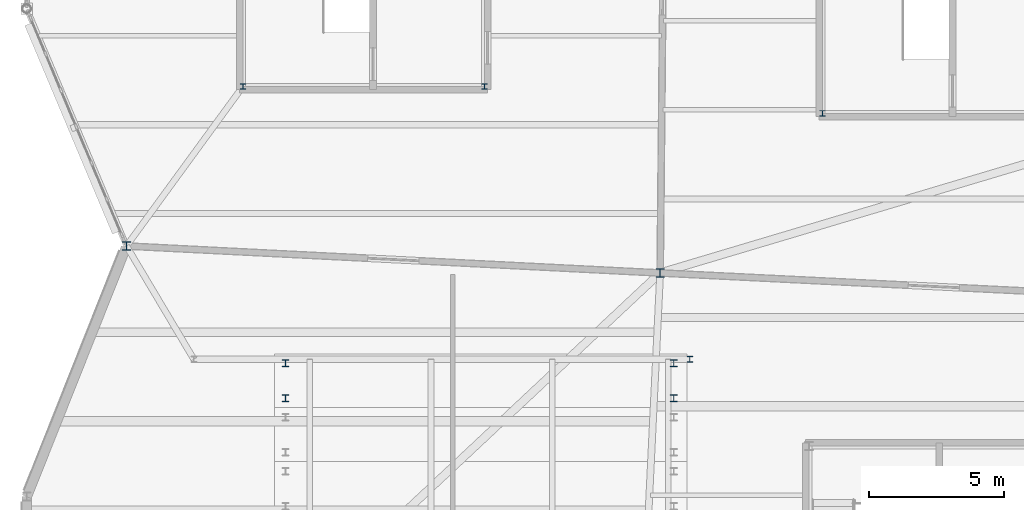
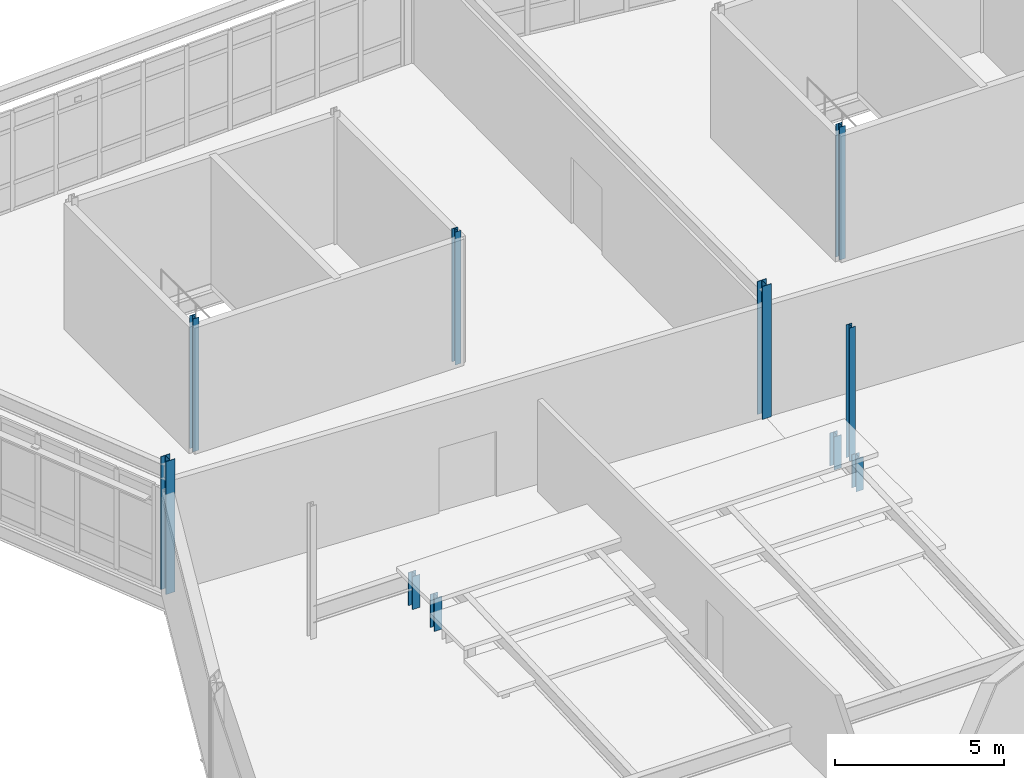
# One storey, part 3 of 134: 10 columns.
"""IFC4 building model written with IfcOpenShell, lengths in metres."""

import ifcopenshell
import ifcopenshell.guid

model = None  # the IFC model being written
_history = None  # IfcOwnerHistory: only IFC2X3 demands one
_inside = {}  # id of a spatial element -> (the spatial element, [elements in it])
_under = {}  # id of a project, library or spatial element -> (it, [spatial elements below it])
_declared = {}  # id of a project -> (the project, [libraries it declares])
_typed = {}  # id of a type object -> (the type object, [elements of that type])
_made_of = {}  # id of a material, layer set ... -> (it, [elements and type objects made of it])


def new_model(schema):
    """Start an empty IFC model of exactly this schema.

    Asked for "IFC4X3", IfcOpenShell would pick the latest addendum, in which some entities
    have other attributes; the version numbers below select the first issue.
    IFC2X3 requires an IfcOwnerHistory on every rooted entity: one is made here for all.
    """
    global model, _history
    if schema == "IFC4X3":
        model = ifcopenshell.file(schema_version=(4, 3, 0, 0))
    else:
        model = ifcopenshell.file(schema=schema)
    _inside.clear()
    _under.clear()
    _declared.clear()
    _typed.clear()
    _made_of.clear()
    _history = None
    if model.schema == "IFC2X3":
        org = make("IfcOrganization", Name="unknown")
        user = make(
            "IfcPersonAndOrganization",
            ThePerson=make("IfcPerson", FamilyName="unknown"),
            TheOrganization=org,
        )
        app = make(
            "IfcApplication",
            ApplicationDeveloper=org,
            Version="unknown",
            ApplicationFullName="unknown",
            ApplicationIdentifier="unknown",
        )
        _history = make(
            "IfcOwnerHistory",
            OwningUser=user,
            OwningApplication=app,
            ChangeAction="ADDED",
            CreationDate=0,
        )
    return model


def make(cls, **values):
    """One entity of the class cls with the attributes given. An attribute that is None is left unset."""
    return model.create_entity(
        cls, **{name: value for name, value in values.items() if value is not None}
    )


def rooted(cls, **values):
    """An entity with a GlobalId (a new one), such as an element, a storey or a relation."""
    return make(cls, GlobalId=ifcopenshell.guid.new(), OwnerHistory=_history, **values)


def si_unit(unit_type, name, prefix=None):
    """IfcSIUnit, for example si_unit("LENGTHUNIT", "METRE", prefix="MILLI")."""
    return make("IfcSIUnit", UnitType=unit_type, Prefix=prefix, Name=name)


def assignment(units):
    """IfcUnitAssignment: the units of a project."""
    return None if units is None else make("IfcUnitAssignment", Units=units)


def point(xyz):
    """IfcCartesianPoint."""
    return None if xyz is None else make("IfcCartesianPoint", Coordinates=xyz)


def direction(xyz):
    """IfcDirection."""
    return None if xyz is None else make("IfcDirection", DirectionRatios=xyz)


def frame(location, z_axis=None, x_axis=None):
    """IfcAxis2Placement3D, a coordinate frame: its origin and axes. An axis left out is left unset."""
    return make(
        "IfcAxis2Placement3D",
        Location=point(location),
        Axis=direction(z_axis),
        RefDirection=direction(x_axis),
    )


def frame_2d(location, x_axis=None):
    """IfcAxis2Placement2D, a coordinate frame in the plane: its origin and x axis."""
    return make(
        "IfcAxis2Placement2D", Location=point(location), RefDirection=direction(x_axis)
    )


def origin():
    """The frame at (0, 0, 0) with its axes left unset."""
    return frame((0.0, 0.0, 0.0))


def origin_2d():
    """The frame at (0, 0) in the plane with its x axis left unset."""
    return frame_2d((0.0, 0.0))


def place(relative_to, where):
    """IfcLocalPlacement: puts the frame where relative to a parent placement (None: the world)."""
    return make(
        "IfcLocalPlacement", PlacementRelTo=relative_to, RelativePlacement=where
    )


def context(
    kind, dimensions, precision=None, world=None, true_north=None, identifier=None
):
    """IfcGeometricRepresentationContext, for example the 3D "Model" context."""
    return make(
        "IfcGeometricRepresentationContext",
        ContextIdentifier=identifier,
        ContextType=kind,
        CoordinateSpaceDimension=dimensions,
        Precision=precision,
        WorldCoordinateSystem=world,
        TrueNorth=true_north,
    )


def subcontext(parent, identifier, kind, view, scale=None):
    """IfcGeometricRepresentationSubContext, for example "Body" below "Model"."""
    return make(
        "IfcGeometricRepresentationSubContext",
        ContextIdentifier=identifier,
        ContextType=kind,
        ParentContext=parent,
        TargetScale=scale,
        TargetView=view,
    )


def project(units=None, contexts=None):
    """IfcProject with its units and contexts."""
    return rooted(
        "IfcProject",
        Name="project",
        RepresentationContexts=contexts,
        UnitsInContext=assignment(units),
    )


def spatial(cls, under=None, at=None, **own):
    """A site, building, storey or space (cls), placed at a placement, below another one or the project."""
    s = rooted(cls, ObjectPlacement=at, **own)
    if under is not None:
        _under.setdefault(under.id(), (under, []))[1].append(s)
    return s


def profile(cls, at=None, kind="AREA", **sizes):
    """A parametric profile (cls). Its sizes go by their IFC names, for example OverallWidth=200.0."""
    return make(cls, ProfileType=kind, Position=at, **sizes)


def i_section(**sizes):
    """IfcIShapeProfileDef."""
    return profile("IfcIShapeProfileDef", **sizes)


def extrude(swept, where, along, depth):
    """IfcExtrudedAreaSolid: the profile swept, set in the frame where, extruded along a direction by depth."""
    return make(
        "IfcExtrudedAreaSolid",
        SweptArea=swept,
        Position=where,
        ExtrudedDirection=direction(along),
        Depth=depth,
    )


def shape(context_of_items, identifier, shape_type, items):
    """IfcShapeRepresentation: the items that make up one representation, for example the "Body"."""
    return make(
        "IfcShapeRepresentation",
        ContextOfItems=context_of_items,
        RepresentationIdentifier=identifier,
        RepresentationType=shape_type,
        Items=items,
    )


def material(Name=None, Category=None):
    """IfcMaterial."""
    return make("IfcMaterial", Name=Name, Category=Category)


def material_profile(
    of_material, cross_section, Name=None, Category=None, Priority=None
):
    """IfcMaterialProfile: a cross section and its material."""
    return make(
        "IfcMaterialProfile",
        Name=Name,
        Material=of_material,
        Profile=cross_section,
        Priority=Priority,
        Category=Category,
    )


def profile_set(profiles, Name=None, composite=None):
    """IfcMaterialProfileSet."""
    return make(
        "IfcMaterialProfileSet",
        Name=Name,
        MaterialProfiles=profiles,
        CompositeProfile=composite,
    )


def made_of(thing, what):
    """Note that an element or type object is made of a material, layer set ...; save() writes the relation."""
    if what is not None:
        _made_of.setdefault(what.id(), (what, []))[1].append(thing)
    return thing


def type_object(cls, material=None, **own):
    """A type object (cls), such as IfcWallType, which elements share."""
    return made_of(rooted(cls, **own), material)


def element(
    cls,
    number,
    at=None,
    inside=None,
    cuts=None,
    type_object=None,
    material=None,
    context=None,
    identifier="Body",
    shape_type=None,
    held_by="IfcProductDefinitionShape",
    body=None,
    shapes=None,
    **own,
):
    """One element of the class cls, such as IfcWall. Its Tag is "e" and its number.

    at: its placement. inside: the storey or other place that contains it. cuts: it is an
    opening in that element (IfcRelVoidsElement). A single representation is given by context,
    identifier, shape_type and body (its items); several are given by shapes. held_by: the class
    of the entity that holds the representations. save() writes the other relations.
    """
    e = rooted(cls, Tag="e%d" % number, ObjectPlacement=at, **own)
    if body is not None:
        shapes = [shape(context, identifier, shape_type, body)]
    if shapes is not None:
        e.Representation = make(held_by, Representations=shapes)
    if inside is not None:
        _inside.setdefault(inside.id(), (inside, []))[1].append(e)
    if cuts is not None:
        rooted(
            "IfcRelVoidsElement", RelatingBuildingElement=cuts, RelatedOpeningElement=e
        )
    if type_object is not None:
        _typed.setdefault(type_object.id(), (type_object, []))[1].append(e)
    return made_of(e, material)


def aggregate(whole, parts):
    """IfcRelAggregates: a whole, such as a stair, and the parts it consists of."""
    return rooted("IfcRelAggregates", RelatingObject=whole, RelatedObjects=parts)


def save(model, path):
    """Write the relations noted so far, then the file.

    IfcRelAggregates (storeys below a building ...), IfcRelContainedInSpatialStructure (elements
    in a storey), IfcRelDefinesByType, IfcRelAssociatesMaterial and IfcRelDeclares: one each for
    every whole, place, type object, material and project.
    """
    for whole, parts in _under.values():
        aggregate(whole, parts)
    for where, things in _inside.values():
        rooted(
            "IfcRelContainedInSpatialStructure",
            RelatedElements=things,
            RelatingStructure=where,
        )
    for kind, things in _typed.values():
        rooted("IfcRelDefinesByType", RelatedObjects=things, RelatingType=kind)
    for what, things in _made_of.values():
        rooted("IfcRelAssociatesMaterial", RelatedObjects=things, RelatingMaterial=what)
    for by, libraries in _declared.values():
        rooted("IfcRelDeclares", RelatingContext=by, RelatedDefinitions=libraries)
    model.write(path)


model = new_model("IFC4")

# Units and contexts
model_context = context("Model", 3, precision=1e-05, world=origin(), true_north=direction((0.0, 1.0)))
body_context = subcontext(model_context, "Body", "Model", "MODEL_VIEW")
ifc_project = project(units=[si_unit("LENGTHUNIT", "METRE"), si_unit("AREAUNIT", "SQUARE_METRE"), si_unit("VOLUMEUNIT", "CUBIC_METRE"), si_unit("PLANEANGLEUNIT", "RADIAN"), si_unit("MASSUNIT", "GRAM", prefix="KILO")], contexts=[model_context])

# Site, building, storey
site_placement = place(None, origin())
site = spatial("IfcSite", under=ifc_project, at=site_placement, CompositionType="ELEMENT")
building_placement = place(site_placement, origin())
building = spatial("IfcBuilding", under=site, at=building_placement, Name="Tameran Prism Museum", CompositionType="ELEMENT")
storey_placement = place(building_placement, frame((0.0, 0.0, 5.39990234375)))
storey = spatial("IfcBuildingStorey", under=building, at=storey_placement, Name="L01", CompositionType="ELEMENT", Elevation=5.39990234375)

# Columns
ifc_material_1 = material(Name="Steel Grade 300PLUS (300 MPa)", Category="steel")
ifc_material_profile_1 = material_profile(ifc_material_1, i_section(OverallWidth=0.205078125, OverallDepth=0.2099609375, WebThickness=0.00927734375, FlangeThickness=0.01416015625, FilletRadius=0.01025390625, at=origin_2d()))
ifc_profile_set_1 = profile_set([ifc_material_profile_1])
column_type_1 = type_object("IfcColumnType", Name="COL-UC200", PredefinedType="COLUMN", material=ifc_profile_set_1)
for number, where, z_axis, x_axis, name in (
    (1, (8.02001953125, 28.919921875, 0.0), (0.0, 0.0, 1.0), (1.0, 0.0, 0.0), "Column CC-10-1 L01"),
    (2, (16.97998046875, 28.919921875, 0.0), (0.0, 0.0, 1.0), (1.0, 0.0, 0.0), "Column CC-10-2 L01"),
    (3, (29.52001953125, 27.919921875, 0.0), (0.0, 0.0, 1.0), (1.0, 0.0, 0.0), "Column CC-12-1 L01"),
    (4, (24.60009765625, 18.800048828125, 0.0), (0.0, 0.0, 1.0), (1.0, 0.0, 0.0), "Column CA-04 L01"),
):
    element("IfcColumn", number, at=place(storey_placement, frame(where, z_axis=z_axis, x_axis=x_axis)), inside=storey, type_object=column_type_1, Name=name, PredefinedType="COLUMN", context=body_context, shape_type="SweptSolid", body=[
        extrude(i_section(OverallWidth=0.205078125, OverallDepth=0.2099609375, WebThickness=0.00927734375, FlangeThickness=0.01416015625, FilletRadius=0.01025390625, at=origin_2d()), origin(), (0.0, 0.0, 1.0), 4.800048828125),
    ])
ifc_material_2 = material(Name="Steel Grade 300PLUS (300 MPa)", Category="steel")
ifc_material_profile_2 = material_profile(ifc_material_2, i_section(OverallWidth=0.25390625, OverallDepth=0.25390625, WebThickness=0.008544921875, FlangeThickness=0.01416015625, FilletRadius=0.0126953125, at=origin_2d()))
ifc_profile_set_2 = profile_set([ifc_material_profile_2])
column_type_2 = type_object("IfcColumnType", Name="COL-UC250B", PredefinedType="COLUMN", material=ifc_profile_set_2)
for number, where, z_axis, x_axis, name in (
    (5, (9.60009765625, 17.35009765625, 0.0), (0.0, 0.0, 1.0), (1.0, 0.0, 0.0), "Balcony Tier Riser Column CAB-L1-33"),
    (6, (9.60009765625, 18.64990234375, 0.0), (0.0, 0.0, 1.0), (1.0, 0.0, 0.0), "Balcony Tier Riser Column CAB-L1-34"),
    (7, (24.0, 17.35009765625, 0.0), (0.0, 0.0, 1.0), (1.0, 0.0, 0.0), "Balcony Tier Riser Column CAB-L1-35"),
    (8, (24.0, 18.64990234375, 0.0), (0.0, 0.0, 1.0), (1.0, 0.0, 0.0), "Balcony Tier Riser Column CAB-L1-36"),
):
    element("IfcColumn", number, at=place(storey_placement, frame(where, z_axis=z_axis, x_axis=x_axis)), inside=storey, type_object=column_type_2, Name=name, PredefinedType="COLUMN", context=body_context, shape_type="SweptSolid", body=[
        extrude(i_section(OverallWidth=0.25390625, OverallDepth=0.25390625, WebThickness=0.008544921875, FlangeThickness=0.01416015625, FilletRadius=0.0126953125, at=origin_2d()), origin(), (0.0, 0.0, 1.0), 1.195068359375),
    ])
ifc_material_3 = material(Name="Steel Grade 300PLUS (300 MPa)", Category="steel")
ifc_material_profile_3 = material_profile(ifc_material_3, i_section(OverallWidth=0.306884765625, OverallDepth=0.31494140625, WebThickness=0.011962890625, FlangeThickness=0.018798828125, FilletRadius=0.0166015625, at=origin_2d()))
ifc_profile_set_3 = profile_set([ifc_material_profile_3])
column_type_3 = type_object("IfcColumnType", Name="COL-UC310C", PredefinedType="COLUMN", material=ifc_profile_set_3)
for number, where, z_axis, x_axis, name in (
    (9, (3.699951171875, 23.0, 0.0), (0.0, 0.0, 1.0), (1.0, 0.0, 0.0), "Column CV-09 L01"),
    (10, (23.5, 22.0, 0.0), (0.0, 0.0, 1.0), (1.0, 0.0, 0.0), "Column CV-14 L01"),
):
    element("IfcColumn", number, at=place(storey_placement, frame(where, z_axis=z_axis, x_axis=x_axis)), inside=storey, type_object=column_type_3, Name=name, PredefinedType="COLUMN", context=body_context, shape_type="SweptSolid", body=[
        extrude(i_section(OverallWidth=0.306884765625, OverallDepth=0.31494140625, WebThickness=0.011962890625, FlangeThickness=0.018798828125, FilletRadius=0.0166015625, at=origin_2d()), origin(), (0.0, 0.0, 1.0), 4.800048828125),
    ])

save(model, "model.ifc")
